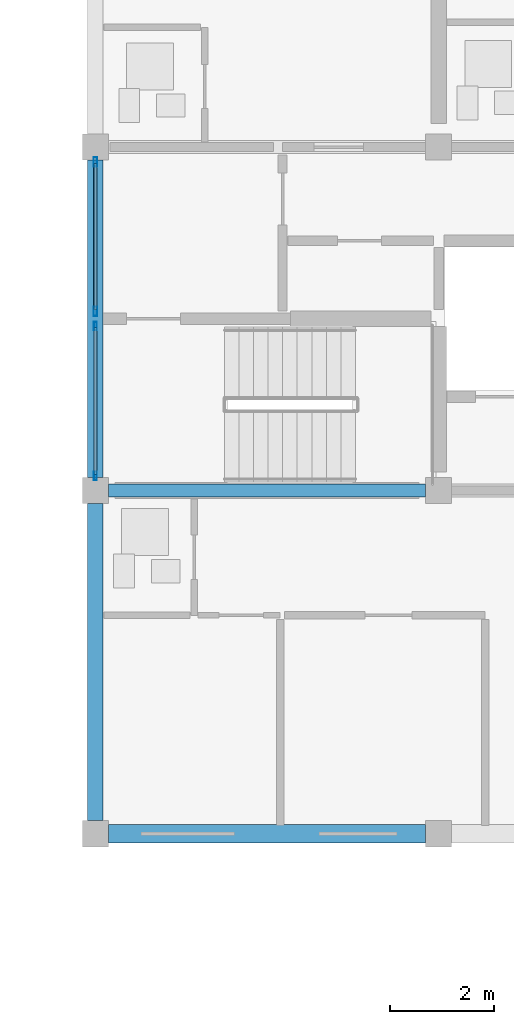
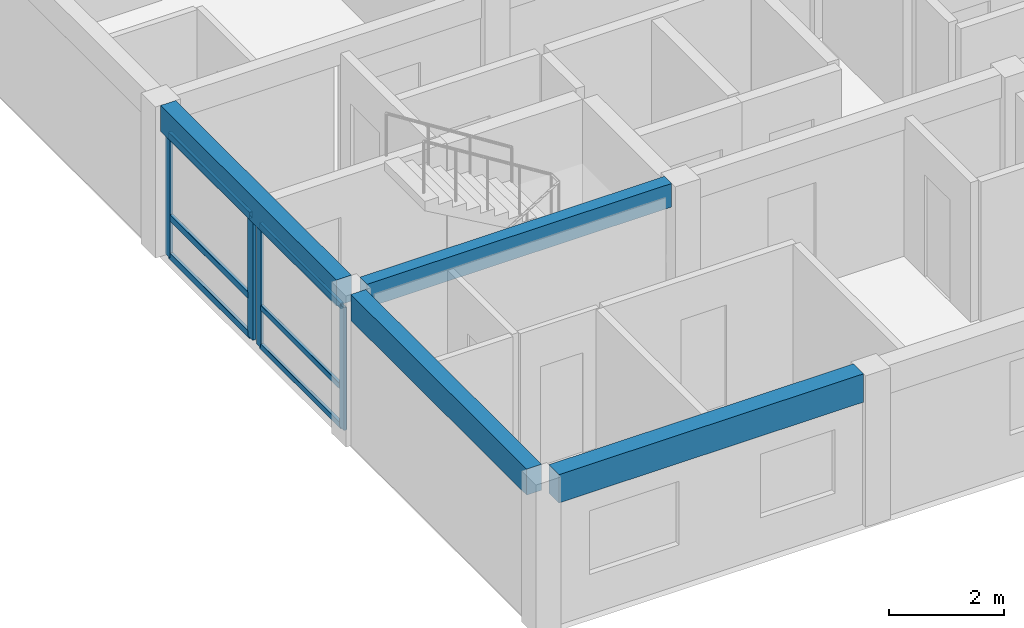
# One storey, part 19 of 45: 10 members, 4 beams, 2 elements without a shape of their own.
"""IFC4 building model written with IfcOpenShell, lengths in metres."""

from ifc_helpers import new_model, si_unit, direction, frame, origin, origin_2d, place, context, subcontext, project, spatial, rectangle, hollow_rectangle, extrude, material, material_profile, profile_set, type_object, element, aggregate, save


model = new_model("IFC4")

# Units and contexts
model_context = context("Model", 3, precision=1e-05, world=origin(), true_north=direction((0.0, 1.0)))
body_context = subcontext(model_context, "Body", "Model", "MODEL_VIEW")
ifc_project = project(units=[si_unit("LENGTHUNIT", "METRE"), si_unit("AREAUNIT", "SQUARE_METRE"), si_unit("VOLUMEUNIT", "CUBIC_METRE"), si_unit("PLANEANGLEUNIT", "RADIAN"), si_unit("MASSUNIT", "GRAM", prefix="KILO")], contexts=[model_context])

# Site, building, storey
site_placement = place(None, origin())
site = spatial("IfcSite", under=ifc_project, at=site_placement, CompositionType="ELEMENT")
building_placement = place(site_placement, origin())
building = spatial("IfcBuilding", under=site, at=building_placement, Name="Kernevlak Ridge Housing Community", CompositionType="ELEMENT")
storey_placement = place(building_placement, frame((0.0, 0.0, 14.800048828125)))
storey = spatial("IfcBuildingStorey", under=building, at=storey_placement, Name="L04", CompositionType="ELEMENT", Elevation=14.800048828125)

# Beam
ifc_material_1 = material(Name="Concrete C35/45", Category="concrete")
ifc_material_profile_1 = material_profile(ifc_material_1, rectangle(XDim=0.25, YDim=0.5, at=origin_2d()), Name="RC 250x500")
ifc_profile_set_1 = profile_set([ifc_material_profile_1], Name="Concrete C35/45")
beam_type_1 = type_object("IfcBeamType", Name="B-06", PredefinedType="T_BEAM", material=ifc_profile_set_1)
beam_1_placement = place(storey_placement, frame((119.64990234375, 89.199951171875, 2.949951171875), z_axis=(1.0, 0.0, 0.0), x_axis=(0.0, 1.0, 0.0)))
element("IfcBeam", 1, at=beam_1_placement, inside=storey, type_object=beam_type_1, Name="Beam B-06 L04 686", PredefinedType="T_BEAM", context=body_context, shape_type="SweptSolid", body=[
    extrude(rectangle(XDim=0.25, YDim=0.5, at=origin_2d()), origin(), (0.0, 0.0, 1.0), 6.10009765625),
])

# Curtain wall, members
ifc_material_2 = material(Name="Aluminium EN AW-6060 anodised and laminated glass", Category="aluminium")
curtain_wall_type_1 = type_object("IfcCurtainWallType", Name="CW-04", PredefinedType="NOTDEFINED", material=ifc_material_2)
curtain_wall_1_placement = place(storey_placement, origin())
curtain_wall_1 = element("IfcCurtainWall", 2, at=curtain_wall_1_placement, inside=storey, type_object=curtain_wall_type_1, Name="Curtain wall CW-04 CW-L04-067", PredefinedType="NOTDEFINED")
ifc_material_3 = material(Name="Aluminium EN AW-6060 anodised", Category="aluminium")
ifc_material_profile_2 = material_profile(ifc_material_3, hollow_rectangle(XDim=0.06005859375, YDim=0.159912109375, WallThickness=0.00390625, InnerFilletRadius=0.001953125, OuterFilletRadius=0.00390625, at=origin_2d()), Name="ALU 60x160x4")
ifc_profile_set_2 = profile_set([ifc_material_profile_2], Name="Aluminium EN AW-6060 anodised")
member_type_1 = type_object("IfcMemberType", Name="MU-02", PredefinedType="MULLION", material=ifc_profile_set_2)
member_1_placement = place(storey_placement, frame((119.39990234375, 89.47998046875, 0.0), z_axis=(0.0, 0.0, 1.0), x_axis=(-1.0, 0.0, 0.0)))
member_1 = element("IfcMember", 3, at=member_1_placement, type_object=member_type_1, Name="CW-04 mullion 1", PredefinedType="MULLION", context=body_context, shape_type="SweptSolid", body=[
    extrude(hollow_rectangle(XDim=0.06005859375, YDim=0.159912109375, WallThickness=0.00390625, InnerFilletRadius=0.001953125, OuterFilletRadius=0.00390625, at=origin_2d()), origin(), (0.0, 0.0, 1.0), 2.599853515625),
])
member_2_placement = place(storey_placement, frame((119.39990234375, 92.360107421875, 0.0), z_axis=(0.0, 0.0, 1.0), x_axis=(-1.0, 0.0, 0.0)))
member_2 = element("IfcMember", 4, at=member_2_placement, type_object=member_type_1, Name="CW-04 mullion 2", PredefinedType="MULLION", context=body_context, shape_type="SweptSolid", body=[
    extrude(hollow_rectangle(XDim=0.06005859375, YDim=0.159912109375, WallThickness=0.00390625, InnerFilletRadius=0.001953125, OuterFilletRadius=0.00390625, at=origin_2d()), origin(), (0.0, 0.0, 1.0), 2.599853515625),
])

curtain_wall_type_2 = type_object("IfcCurtainWallType", Name="CW-11", PredefinedType="NOTDEFINED", material=ifc_material_2)
curtain_wall_2_placement = place(storey_placement, origin())
curtain_wall_2 = element("IfcCurtainWall", 5, at=curtain_wall_2_placement, inside=storey, type_object=curtain_wall_type_2, Name="Curtain wall CW-11 CW-L04-068", PredefinedType="NOTDEFINED")
ifc_material_profile_3 = material_profile(ifc_material_3, hollow_rectangle(XDim=0.06494140625, YDim=0.179931640625, WallThickness=0.00439453125, InnerFilletRadius=0.001953125, OuterFilletRadius=0.00439453125, at=origin_2d()), Name="ALU 65x180x4.5")
ifc_profile_set_3 = profile_set([ifc_material_profile_3], Name="Aluminium EN AW-6060 anodised")
member_type_2 = type_object("IfcMemberType", Name="MU-03", PredefinedType="MULLION", material=ifc_profile_set_3)
member_3_placement = place(storey_placement, frame((119.39990234375, 92.642578125, 0.0), z_axis=(0.0, 0.0, 1.0), x_axis=(-1.0, 0.0, 0.0)))
member_3 = element("IfcMember", 6, at=member_3_placement, type_object=member_type_2, Name="CW-11 mullion 1", PredefinedType="MULLION", context=body_context, shape_type="SweptSolid", body=[
    extrude(hollow_rectangle(XDim=0.06494140625, YDim=0.179931640625, WallThickness=0.00439453125, InnerFilletRadius=0.001953125, OuterFilletRadius=0.00439453125, at=origin_2d()), origin(), (0.0, 0.0, 1.0), 2.599853515625),
])
member_4_placement = place(storey_placement, frame((119.39990234375, 95.517578125, 0.0), z_axis=(0.0, 0.0, 1.0), x_axis=(-1.0, 0.0, 0.0)))
member_4 = element("IfcMember", 7, at=member_4_placement, type_object=member_type_2, Name="CW-11 mullion 2", PredefinedType="MULLION", context=body_context, shape_type="SweptSolid", body=[
    extrude(hollow_rectangle(XDim=0.06494140625, YDim=0.179931640625, WallThickness=0.00439453125, InnerFilletRadius=0.001953125, OuterFilletRadius=0.00439453125, at=origin_2d()), origin(), (0.0, 0.0, 1.0), 2.599853515625),
])

# Beams
ifc_material_profile_4 = material_profile(ifc_material_1, rectangle(XDim=0.300048828125, YDim=0.550048828125, at=origin_2d()), Name="RC 300x550")
ifc_profile_set_4 = profile_set([ifc_material_profile_4], Name="Concrete C35/45")
beam_type_2 = type_object("IfcBeamType", Name="SP-01", PredefinedType="SPANDREL", material=ifc_profile_set_4)
beam_2_placement = place(storey_placement, frame((119.39990234375, 82.85009765625, 2.925048828125), z_axis=(0.0, 1.0, 0.0), x_axis=(-1.0, 0.0, 0.0)))
element("IfcBeam", 8, at=beam_2_placement, inside=storey, type_object=beam_type_2, Name="Beam SP-01 L04 701", PredefinedType="SPANDREL", context=body_context, shape_type="SweptSolid", body=[
    extrude(rectangle(XDim=0.300048828125, YDim=0.550048828125, at=origin_2d()), origin(), (0.0, 0.0, 1.0), 6.099853515625),
])
beam_3_placement = place(storey_placement, frame((119.39990234375, 89.449951171875, 2.925048828125), z_axis=(0.0, 1.0, 0.0), x_axis=(-1.0, 0.0, 0.0)))
element("IfcBeam", 9, at=beam_3_placement, inside=storey, type_object=beam_type_2, Name="Beam SP-01 L04 702", PredefinedType="SPANDREL", context=body_context, shape_type="SweptSolid", body=[
    extrude(rectangle(XDim=0.300048828125, YDim=0.550048828125, at=origin_2d()), origin(), (0.0, 0.0, 1.0), 6.10009765625),
])
ifc_material_profile_5 = material_profile(ifc_material_1, rectangle(XDim=0.35009765625, YDim=0.60009765625, at=origin_2d()), Name="RC 350x600")
ifc_profile_set_5 = profile_set([ifc_material_profile_5], Name="Concrete C35/45")
beam_type_3 = type_object("IfcBeamType", Name="SP-03", PredefinedType="SPANDREL", material=ifc_profile_set_5)
beam_4_placement = place(storey_placement, frame((119.64990234375, 82.60009765625, 2.89990234375), z_axis=(1.0, 0.0, 0.0), x_axis=(0.0, 1.0, 0.0)))
element("IfcBeam", 10, at=beam_4_placement, inside=storey, type_object=beam_type_3, Name="Beam SP-03 L04 681", PredefinedType="SPANDREL", context=body_context, shape_type="SweptSolid", body=[
    extrude(rectangle(XDim=0.35009765625, YDim=0.60009765625, at=origin_2d()), origin(), (0.0, 0.0, 1.0), 6.10009765625),
])

# Member
ifc_material_profile_6 = material_profile(ifc_material_3, hollow_rectangle(XDim=0.06005859375, YDim=0.1201171875, WallThickness=0.00390625, InnerFilletRadius=0.001953125, OuterFilletRadius=0.00390625, at=origin_2d()), Name="ALU 60x120x4")
ifc_profile_set_6 = profile_set([ifc_material_profile_6], Name="Aluminium EN AW-6060 anodised")
member_type_3 = type_object("IfcMemberType", Name="TM-02", PredefinedType="USERDEFINED", material=ifc_profile_set_6)
member_5_placement = place(storey_placement, frame((119.39990234375, 89.510009765625, 0.030029296875), z_axis=(0.0, 1.0, 0.0), x_axis=(-1.0, 0.0, 0.0)))
member_5 = element("IfcMember", 11, at=member_5_placement, type_object=member_type_3, Name="CW-04 transom 1.1", ObjectType="TRANSOM", PredefinedType="USERDEFINED", context=body_context, shape_type="SweptSolid", body=[
    extrude(hollow_rectangle(XDim=0.06005859375, YDim=0.1201171875, WallThickness=0.00390625, InnerFilletRadius=0.001953125, OuterFilletRadius=0.00390625, at=origin_2d()), origin(), (0.0, 0.0, 1.0), 2.820068359375),
])

member_6_placement = place(storey_placement, frame((119.39990234375, 89.510009765625, 0.849853515625), z_axis=(0.0, 1.0, 0.0), x_axis=(-1.0, 0.0, 0.0)))
member_6 = element("IfcMember", 12, at=member_6_placement, type_object=member_type_3, Name="CW-04 transom 1.2", ObjectType="TRANSOM", PredefinedType="USERDEFINED", context=body_context, shape_type="SweptSolid", body=[
    extrude(hollow_rectangle(XDim=0.06005859375, YDim=0.1201171875, WallThickness=0.00390625, InnerFilletRadius=0.001953125, OuterFilletRadius=0.00390625, at=origin_2d()), origin(), (0.0, 0.0, 1.0), 2.820068359375),
])

member_7_placement = place(storey_placement, frame((119.39990234375, 89.510009765625, 2.570068359375), z_axis=(0.0, 1.0, 0.0), x_axis=(-1.0, 0.0, 0.0)))
member_7 = element("IfcMember", 13, at=member_7_placement, type_object=member_type_3, Name="CW-04 transom 1.3", ObjectType="TRANSOM", PredefinedType="USERDEFINED", context=body_context, shape_type="SweptSolid", body=[
    extrude(hollow_rectangle(XDim=0.06005859375, YDim=0.1201171875, WallThickness=0.00390625, InnerFilletRadius=0.001953125, OuterFilletRadius=0.00390625, at=origin_2d()), origin(), (0.0, 0.0, 1.0), 2.820068359375),
])

aggregate(curtain_wall_1, [member_1, member_2, member_5, member_6, member_7])

ifc_material_profile_7 = material_profile(ifc_material_3, hollow_rectangle(XDim=0.06494140625, YDim=0.139892578125, WallThickness=0.00390625, InnerFilletRadius=0.001953125, OuterFilletRadius=0.00390625, at=origin_2d()), Name="ALU 65x140x4")
ifc_profile_set_7 = profile_set([ifc_material_profile_7], Name="Aluminium EN AW-6060 anodised")
member_type_4 = type_object("IfcMemberType", Name="TM-03", PredefinedType="USERDEFINED", material=ifc_profile_set_7)
member_8_placement = place(storey_placement, frame((119.39990234375, 92.675048828125, 0.032470703125), z_axis=(0.0, 1.0, 0.0), x_axis=(-1.0, 0.0, 0.0)))
member_8 = element("IfcMember", 14, at=member_8_placement, type_object=member_type_4, Name="CW-11 transom 1.1", ObjectType="TRANSOM", PredefinedType="USERDEFINED", context=body_context, shape_type="SweptSolid", body=[
    extrude(hollow_rectangle(XDim=0.06494140625, YDim=0.139892578125, WallThickness=0.00390625, InnerFilletRadius=0.001953125, OuterFilletRadius=0.00390625, at=origin_2d()), origin(), (0.0, 0.0, 1.0), 2.81005859375),
])

member_9_placement = place(storey_placement, frame((119.39990234375, 92.675048828125, 0.849853515625), z_axis=(0.0, 1.0, 0.0), x_axis=(-1.0, 0.0, 0.0)))
member_9 = element("IfcMember", 15, at=member_9_placement, type_object=member_type_4, Name="CW-11 transom 1.2", ObjectType="TRANSOM", PredefinedType="USERDEFINED", context=body_context, shape_type="SweptSolid", body=[
    extrude(hollow_rectangle(XDim=0.06494140625, YDim=0.139892578125, WallThickness=0.00390625, InnerFilletRadius=0.001953125, OuterFilletRadius=0.00390625, at=origin_2d()), origin(), (0.0, 0.0, 1.0), 2.81005859375),
])

member_10_placement = place(storey_placement, frame((119.39990234375, 92.675048828125, 2.5673828125), z_axis=(0.0, 1.0, 0.0), x_axis=(-1.0, 0.0, 0.0)))
member_10 = element("IfcMember", 16, at=member_10_placement, type_object=member_type_4, Name="CW-11 transom 1.3", ObjectType="TRANSOM", PredefinedType="USERDEFINED", context=body_context, shape_type="SweptSolid", body=[
    extrude(hollow_rectangle(XDim=0.06494140625, YDim=0.139892578125, WallThickness=0.00390625, InnerFilletRadius=0.001953125, OuterFilletRadius=0.00390625, at=origin_2d()), origin(), (0.0, 0.0, 1.0), 2.81005859375),
])

aggregate(curtain_wall_2, [member_3, member_4, member_8, member_9, member_10])

save(model, "model.ifc")
